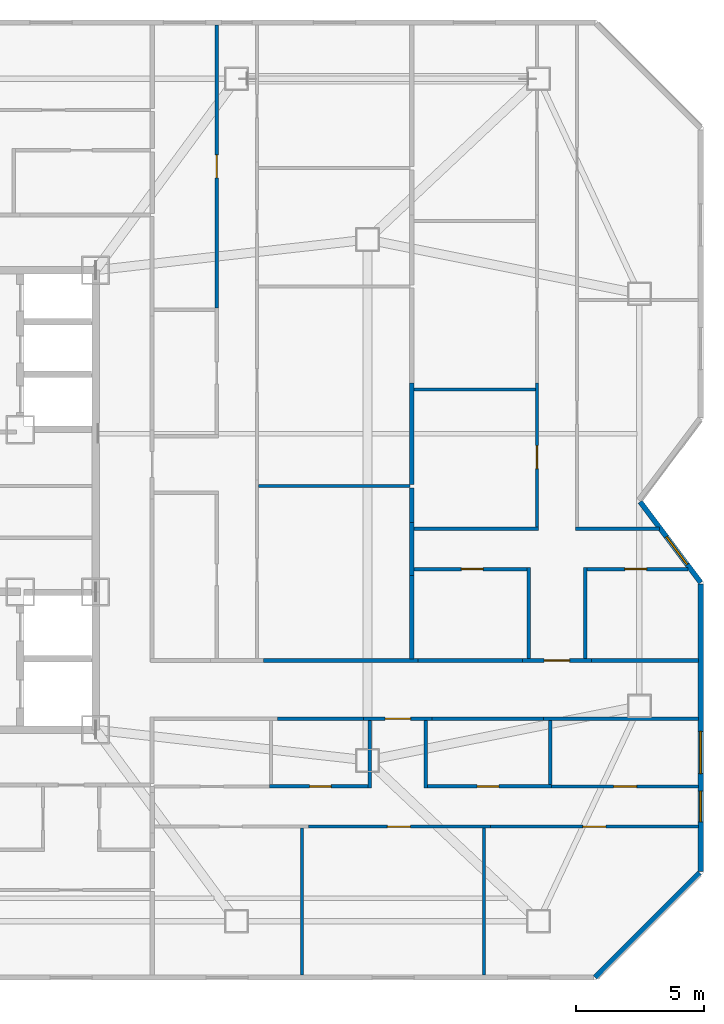
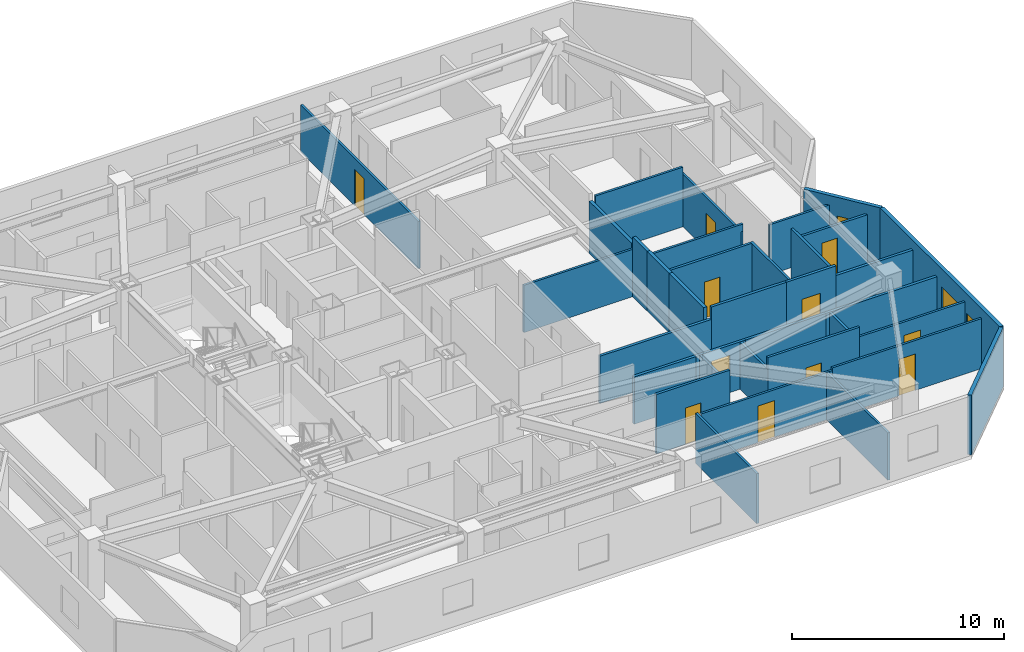
# One storey, part 9 of 13: 35 walls, 11 doors, 3 windows, 14 openings.
"""IFC4 building model written with IfcOpenShell, lengths in metres."""

from ifc_helpers import new_model, si_unit, direction, frame, frame_2d, origin, place, context, subcontext, project, spatial, rectangle, extrude, material, layer, layer_set, type_object, element, fill, save


model = new_model("IFC4")

# Units and contexts
model_context = context("Model", 3, precision=1e-05, world=origin(), true_north=direction((0.0, 1.0)))
body_context = subcontext(model_context, "Body", "Model", "MODEL_VIEW")
ifc_project = project(units=[si_unit("LENGTHUNIT", "METRE"), si_unit("AREAUNIT", "SQUARE_METRE"), si_unit("VOLUMEUNIT", "CUBIC_METRE"), si_unit("PLANEANGLEUNIT", "RADIAN"), si_unit("MASSUNIT", "GRAM", prefix="KILO")], contexts=[model_context])

# Site, building, storey
site_placement = place(None, origin())
site = spatial("IfcSite", under=ifc_project, at=site_placement, CompositionType="ELEMENT")
building_placement = place(site_placement, origin())
building = spatial("IfcBuilding", under=site, at=building_placement, Name="Khamvora Tower", CompositionType="ELEMENT")
storey_placement = place(building_placement, frame((0.0, 0.0, 196.050048828125)))
storey = spatial("IfcBuildingStorey", under=building, at=storey_placement, Name="L50", CompositionType="ELEMENT", Elevation=196.050048828125)

# Wall
ifc_material_1 = material(Name="Fire-Rated Drywall and Steel Stud", Category="steel")
ifc_layer_1 = layer(ifc_material_1, 0.14990234375)
ifc_layer_set_1 = layer_set([ifc_layer_1], Name="Fire-Rated Drywall and Steel Stud")
wall_type_1 = type_object("IfcWallType", Name="WAL-CORR-150", PredefinedType="STANDARD", material=ifc_layer_set_1)
wall_1_placement = place(storey_placement, frame((63.008056640625, 19.43505859375, 0.0), z_axis=(0.0, 0.0, 1.0), x_axis=(-1.0, 0.0, 0.0)))
element("IfcWall", 1, at=wall_1_placement, inside=storey, type_object=wall_type_1, Name="L50 interior partition wall 030", PredefinedType="STANDARD", context=body_context, shape_type="SweptSolid", body=[
    extrude(rectangle(XDim=6.05712890625, YDim=0.14990234375, at=frame_2d((3.028564453125, 0.0))), origin(), (0.0, 0.0, 1.0), 2.724853515625),
])

# Wall, opening, door
wall_2_placement = place(storey_placement, frame((52.583984375, 19.43505859375, 0.0), z_axis=(0.0, 0.0, 1.0), x_axis=(-1.0, 0.0, 0.0)))
wall_2 = element("IfcWall", 2, at=wall_2_placement, inside=storey, type_object=wall_type_1, Name="L50 interior partition wall 031", PredefinedType="STANDARD", context=body_context, shape_type="SweptSolid", body=[
    extrude(rectangle(XDim=2.697998046875, YDim=0.14990234375, at=frame_2d((1.34912109375, 0.0))), origin(), (0.0, 0.0, 1.0), 2.724853515625),
])
opening_1_placement = place(wall_2_placement, frame((0.84912109375, 0.0, 0.0)))
opening_1 = element("IfcOpeningElement", 3, at=opening_1_placement, cuts=wall_2, Name="Opening D-U1", PredefinedType="OPENING", context=body_context, shape_type="SweptSolid", body=[
    extrude(rectangle(XDim=1.0, YDim=2.14990234375, at=frame_2d((0.5, 1.074951171875))), frame((0.0, 0.0849609375, 0.0), z_axis=(0.0, -1.0, 0.0), x_axis=(1.0, 0.0, 0.0)), (0.0, 0.0, 1.0), 0.169921875),
])
ifc_material_2 = material(Name="Powder-Coated Steel and Hardwood Leaf", Category="steel")
door_type_1 = type_object("IfcDoorType", Name="DOR-UNIT-1000", OperationType="NOTDEFINED", PredefinedType="DOOR", material=ifc_material_2)
door_1_placement = place(opening_1_placement, origin())
door_1 = element("IfcDoor", 4, at=door_1_placement, inside=storey, type_object=door_type_1, Name="L50 interior door COR-50EAH", OperationType="SINGLE_SWING_RIGHT", OverallHeight=2.14990234375, OverallWidth=1.0, PredefinedType="DOOR", context=body_context, shape_type="SweptSolid", body=[
    extrude(rectangle(XDim=1.0, YDim=2.14990234375, at=frame_2d((0.5, 1.074951171875))), frame((0.0, 0.02490234375, 0.0), z_axis=(0.0, -1.0, 0.0), x_axis=(1.0, 0.0, 0.0)), (0.0, 0.0, 1.0), 0.050048828125),
])
fill(opening_1, door_1)

# Walls
wall_3_placement = place(storey_placement, frame((49.885986328125, 19.43505859375, 0.0), z_axis=(0.0, 0.0, 1.0), x_axis=(-1.0, 0.0, 0.0)))
element("IfcWall", 5, at=wall_3_placement, inside=storey, type_object=wall_type_1, Name="L50 interior partition wall 032", PredefinedType="STANDARD", context=body_context, shape_type="SweptSolid", body=[
    extrude(rectangle(XDim=3.366943359375, YDim=0.14990234375, at=frame_2d((1.68359375, 0.0))), origin(), (0.0, 0.0, 1.0), 2.724853515625),
])
wall_4_placement = place(storey_placement, frame((56.950927734375, 19.43505859375, 0.0), z_axis=(0.0, 0.0, 1.0), x_axis=(-1.0, 0.0, 0.0)))
element("IfcWall", 6, at=wall_4_placement, inside=storey, type_object=wall_type_1, Name="L50 interior partition wall 033", PredefinedType="STANDARD", context=body_context, shape_type="SweptSolid", body=[
    extrude(rectangle(XDim=4.366943359375, YDim=0.14990234375, at=frame_2d((2.18359375, 0.0))), origin(), (0.0, 0.0, 1.0), 2.724853515625),
])
wall_5_placement = place(storey_placement, frame((45.97412109375, 21.715087890625, 0.0), z_axis=(0.0, 0.0, 1.0), x_axis=(1.0, 0.0, 0.0)))
element("IfcWall", 7, at=wall_5_placement, inside=storey, type_object=wall_type_1, Name="L50 interior partition wall 040", PredefinedType="STANDARD", context=body_context, shape_type="SweptSolid", body=[
    extrude(rectangle(XDim=6.059814453125, YDim=0.14990234375, at=frame_2d((3.02978515625, 0.0))), origin(), (0.0, 0.0, 1.0), 2.724853515625),
])

# Wall, opening, door
wall_6_placement = place(storey_placement, frame((56.12109375, 21.715087890625, 0.0), z_axis=(0.0, 0.0, 1.0), x_axis=(1.0, 0.0, 0.0)))
wall_6 = element("IfcWall", 8, at=wall_6_placement, inside=storey, type_object=wall_type_1, Name="L50 interior partition wall 041", PredefinedType="STANDARD", context=body_context, shape_type="SweptSolid", body=[
    extrude(rectangle(XDim=2.697998046875, YDim=0.14990234375, at=frame_2d((1.34912109375, 0.0))), origin(), (0.0, 0.0, 1.0), 3.429931640625),
])
opening_2_placement = place(wall_6_placement, frame((0.84912109375, 0.0, 0.0)))
opening_2 = element("IfcOpeningElement", 9, at=opening_2_placement, cuts=wall_6, Name="Opening D-U1", PredefinedType="OPENING", context=body_context, shape_type="SweptSolid", body=[
    extrude(rectangle(XDim=1.0, YDim=2.14990234375, at=frame_2d((0.5, 1.074951171875))), frame((0.0, 0.0849609375, 0.0), z_axis=(0.0, -1.0, 0.0), x_axis=(1.0, 0.0, 0.0)), (0.0, 0.0, 1.0), 0.169921875),
])
door_2_placement = place(opening_2_placement, origin())
door_2 = element("IfcDoor", 10, at=door_2_placement, inside=storey, type_object=door_type_1, Name="L50 interior door COR-50ECH", OperationType="SINGLE_SWING_RIGHT", OverallHeight=2.14990234375, OverallWidth=1.0, PredefinedType="DOOR", context=body_context, shape_type="SweptSolid", body=[
    extrude(rectangle(XDim=1.0, YDim=2.14990234375, at=frame_2d((0.5, 1.074951171875))), frame((0.0, 0.02490234375, 0.0), z_axis=(0.0, -1.0, 0.0), x_axis=(1.0, 0.0, 0.0)), (0.0, 0.0, 1.0), 0.050048828125),
])
fill(opening_2, door_2)

# Walls
wall_7_placement = place(storey_placement, frame((58.819091796875, 21.715087890625, 0.0), z_axis=(0.0, 0.0, 1.0), x_axis=(1.0, 0.0, 0.0)))
element("IfcWall", 11, at=wall_7_placement, inside=storey, type_object=wall_type_1, Name="L50 interior partition wall 042", PredefinedType="STANDARD", context=body_context, shape_type="SweptSolid", body=[
    extrude(rectangle(XDim=4.18896484375, YDim=0.14990234375, at=frame_2d((2.094482421875, 0.0))), origin(), (0.0, 0.0, 1.0), 2.8759765625),
])
wall_8_placement = place(storey_placement, frame((52.033935546875, 21.715087890625, 0.0), z_axis=(0.0, 0.0, 1.0), x_axis=(1.0, 0.0, 0.0)))
element("IfcWall", 12, at=wall_8_placement, inside=storey, type_object=wall_type_1, Name="L50 interior partition wall 043", PredefinedType="STANDARD", context=body_context, shape_type="SweptSolid", body=[
    extrude(rectangle(XDim=4.087158203125, YDim=0.14990234375, at=frame_2d((2.04345703125, 0.0))), origin(), (0.0, 0.0, 1.0), 3.429931640625),
])
ifc_material_3 = material(Name="Acoustic Double-Stud Fire Wall", Category="gypsum")
ifc_layer_2 = layer(ifc_material_3, 0.179931640625)
ifc_layer_set_2 = layer_set([ifc_layer_2], Name="Acoustic Double-Stud Fire Wall")
wall_type_2 = type_object("IfcWallType", Name="WAL-CORR-180", PredefinedType="STANDARD", material=ifc_layer_set_2)
wall_9_placement = place(storey_placement, frame((51.784912109375, 27.1240234375, 0.0), z_axis=(0.0, 0.0, 1.0), x_axis=(0.0, -1.0, 0.0)))
element("IfcWall", 13, at=wall_9_placement, inside=storey, type_object=wall_type_2, Name="L50 interior partition wall 126", PredefinedType="STANDARD", context=body_context, shape_type="SweptSolid", body=[
    extrude(rectangle(XDim=2.078125, YDim=0.179931640625, at=frame_2d((1.0390625, 0.0))), origin(), (0.0, 0.0, 1.0), 3.429931640625),
])
wall_10_placement = place(storey_placement, frame((51.784912109375, 25.0458984375, 0.0), z_axis=(0.0, 0.0, 1.0), x_axis=(0.0, -1.0, 0.0)))
element("IfcWall", 14, at=wall_10_placement, inside=storey, type_object=wall_type_2, Name="L50 interior partition wall 127", PredefinedType="STANDARD", context=body_context, shape_type="SweptSolid", body=[
    extrude(rectangle(XDim=3.265869140625, YDim=0.179931640625, at=frame_2d((1.6328125, 0.0))), origin(), (0.0, 0.0, 1.0), 3.429931640625),
])
wall_11_placement = place(storey_placement, frame((51.784912109375, 28.47509765625, 0.0), z_axis=(0.0, 0.0, 1.0), x_axis=(0.0, -1.0, 0.0)))
element("IfcWall", 15, at=wall_11_placement, inside=storey, type_object=wall_type_2, Name="L50 interior partition wall 128", PredefinedType="STANDARD", context=body_context, shape_type="SweptSolid", body=[
    extrude(rectangle(XDim=1.35107421875, YDim=0.179931640625, at=frame_2d((0.675537109375, 0.0))), origin(), (0.0, 0.0, 1.0), 3.429931640625),
])
wall_12_placement = place(storey_placement, frame((51.784912109375, 32.5849609375, 0.0), z_axis=(0.0, 0.0, 1.0), x_axis=(0.0, -1.0, 0.0)))
element("IfcWall", 16, at=wall_12_placement, inside=storey, type_object=wall_type_2, Name="L50 interior partition wall 130", PredefinedType="STANDARD", context=body_context, shape_type="SweptSolid", body=[
    extrude(rectangle(XDim=3.97998046875, YDim=0.179931640625, at=frame_2d((1.989990234375, 0.0))), origin(), (0.0, 0.0, 1.0), 3.012939453125),
])

# Wall, opening, window
ifc_material_4 = material(Name="Precast concrete C40/50", Category="concrete")
ifc_layer_3 = layer(ifc_material_4, 0.199951171875)
ifc_layer_set_3 = layer_set([ifc_layer_3], Name="Precast concrete C40/50")
wall_type_3 = type_object("IfcWallType", Name="WAL-EXT-200", PredefinedType="STANDARD", material=ifc_layer_set_3)
wall_13_placement = place(storey_placement, frame((60.72705078125, 27.930908203125, 0.0), z_axis=(0.0, 0.0, 1.0), x_axis=(0.600029630681, -0.799977776132, 0.0)))
wall_13 = element("IfcWall", 17, at=wall_13_placement, inside=storey, type_object=wall_type_3, Name="L50 exterior facade wall 11.1", PredefinedType="STANDARD", context=body_context, shape_type="SweptSolid", body=[
    extrude(rectangle(XDim=3.954833984375, YDim=0.199951171875, at=frame_2d((1.9775390625, 0.0))), origin(), (0.0, 0.0, 1.0), 3.429931640625),
])
opening_3_placement = place(wall_13_placement, frame((1.721923828125, 0.0, 0.85009765625)))
opening_3 = element("IfcOpeningElement", 18, at=opening_3_placement, cuts=wall_13, Name="Opening WN-07", PredefinedType="OPENING", context=body_context, shape_type="SweptSolid", body=[
    extrude(rectangle(XDim=1.35009765625, YDim=1.5, at=frame_2d((0.675048828125, 0.75))), frame((0.0, 0.10986328125, 0.0), z_axis=(0.0, -1.0, 0.0), x_axis=(1.0, 0.0, 0.0)), (0.0, 0.0, 1.0), 0.219970703125),
])
ifc_material_5 = material(Name="Low-E Laminated Double Glazing", Category="glass")
window_type_1 = type_object("IfcWindowType", Name="WIN-VIS-1350x1500", PartitioningType="SINGLE_PANEL", PredefinedType="WINDOW", material=ifc_material_5)
window_1_placement = place(opening_3_placement, origin())
window_1 = element("IfcWindow", 19, at=window_1_placement, inside=storey, type_object=window_type_1, Name="L50 vision window 11.1.01", OverallHeight=1.5, OverallWidth=1.35009765625, PartitioningType="SINGLE_PANEL", PredefinedType="WINDOW", context=body_context, shape_type="SweptSolid", body=[
    extrude(rectangle(XDim=1.35009765625, YDim=1.5, at=frame_2d((0.675048828125, 0.75))), frame((0.0, 0.030029296875, 0.0), z_axis=(0.0, -1.0, 0.0), x_axis=(1.0, 0.0, 0.0)), (0.0, 0.0, 1.0), 0.06005859375),
])
fill(opening_3, window_1)

# Wall, openings, windows
wall_14_placement = place(storey_placement, frame((63.10009765625, 24.717041015625, 0.0), z_axis=(0.0, 0.0, 1.0), x_axis=(0.0, -1.0, 0.0)))
wall_14 = element("IfcWall", 20, at=wall_14_placement, inside=storey, type_object=wall_type_3, Name="L50 exterior facade wall 12.1", PredefinedType="STANDARD", context=body_context, shape_type="SweptSolid", body=[
    extrude(rectangle(XDim=11.276123046875, YDim=0.199951171875, at=frame_2d((5.63818359375, 0.0))), origin(), (0.0, 0.0, 1.0), 3.429931640625),
])
opening_4_placement = place(wall_14_placement, frame((5.781982421875, 0.0, 0.85009765625)))
opening_4 = element("IfcOpeningElement", 21, at=opening_4_placement, cuts=wall_14, Name="Opening WN-06", PredefinedType="OPENING", context=body_context, shape_type="SweptSolid", body=[
    extrude(rectangle(XDim=1.64990234375, YDim=1.550048828125, at=frame_2d((0.824951171875, 0.77490234375))), frame((0.0, 0.10986328125, 0.0), z_axis=(0.0, -1.0, 0.0), x_axis=(1.0, 0.0, 0.0)), (0.0, 0.0, 1.0), 0.219970703125),
])
opening_5_placement = place(wall_14_placement, frame((8.123046875, 0.0, 0.800048828125)))
opening_5 = element("IfcOpeningElement", 22, at=opening_5_placement, cuts=wall_14, Name="Opening WN-03", PredefinedType="OPENING", context=body_context, shape_type="SweptSolid", body=[
    extrude(rectangle(XDim=1.199951171875, YDim=1.5, at=frame_2d((0.60009765625, 0.75))), frame((0.0, 0.10986328125, 0.0), z_axis=(0.0, -1.0, 0.0), x_axis=(1.0, 0.0, 0.0)), (0.0, 0.0, 1.0), 0.219970703125),
])
window_type_2 = type_object("IfcWindowType", Name="WIN-VIS-1200x1500", PartitioningType="SINGLE_PANEL", PredefinedType="WINDOW", material=ifc_material_5)
window_2_placement = place(opening_5_placement, origin())
window_2 = element("IfcWindow", 23, at=window_2_placement, inside=storey, type_object=window_type_2, Name="L50 vision window 12.1.02", OverallHeight=1.5, OverallWidth=1.199951171875, PartitioningType="SINGLE_PANEL", PredefinedType="WINDOW", context=body_context, shape_type="SweptSolid", body=[
    extrude(rectangle(XDim=1.199951171875, YDim=1.5, at=frame_2d((0.60009765625, 0.75))), frame((0.0, 0.030029296875, 0.0), z_axis=(0.0, -1.0, 0.0), x_axis=(1.0, 0.0, 0.0)), (0.0, 0.0, 1.0), 0.06005859375),
])
fill(opening_5, window_2)
window_type_3 = type_object("IfcWindowType", Name="WIN-VIS-1650x1550", PartitioningType="SINGLE_PANEL", PredefinedType="WINDOW", material=ifc_material_5)
window_3_placement = place(opening_4_placement, origin())
window_3 = element("IfcWindow", 24, at=window_3_placement, inside=storey, type_object=window_type_3, Name="L50 vision window 12.1.01", OverallHeight=1.550048828125, OverallWidth=1.64990234375, PartitioningType="SINGLE_PANEL", PredefinedType="WINDOW", context=body_context, shape_type="SweptSolid", body=[
    extrude(rectangle(XDim=1.64990234375, YDim=1.550048828125, at=frame_2d((0.824951171875, 0.77490234375))), frame((0.0, 0.030029296875, 0.0), z_axis=(0.0, -1.0, 0.0), x_axis=(1.0, 0.0, 0.0)), (0.0, 0.0, 1.0), 0.06005859375),
])
fill(opening_4, window_3)

# Wall
wall_15_placement = place(storey_placement, frame((63.056884765625, 13.39794921875, 0.0), z_axis=(0.0, 0.0, 1.0), x_axis=(-0.707106781187, -0.707106781187, 0.0)))
element("IfcWall", 25, at=wall_15_placement, inside=storey, type_object=wall_type_3, Name="L50 exterior facade wall 13.1", PredefinedType="STANDARD", context=body_context, shape_type="SweptSolid", body=[
    extrude(rectangle(XDim=5.79541015625, YDim=0.199951171875, at=frame_2d((2.897705078125, 0.0))), origin(), (0.0, 0.0, 1.0), 3.429931640625),
])

# Wall, opening, door
ifc_material_6 = material(Name="Gypsum Plasterboard Partition", Category="gypsum")
ifc_layer_4 = layer(ifc_material_6, 0.1201171875)
ifc_layer_set_4 = layer_set([ifc_layer_4], Name="Gypsum Plasterboard Partition")
wall_type_4 = type_object("IfcWallType", Name="WAL-PART-120", PredefinedType="PARTITIONING", material=ifc_layer_set_4)
wall_16_placement = place(storey_placement, frame((63.008056640625, 16.783935546875, 0.0), z_axis=(0.0, 0.0, 1.0), x_axis=(-1.0, 0.0, 0.0)))
wall_16 = element("IfcWall", 26, at=wall_16_placement, inside=storey, type_object=wall_type_4, Name="L50 interior partition wall 104", PredefinedType="PARTITIONING", context=body_context, shape_type="SweptSolid", body=[
    extrude(rectangle(XDim=5.7431640625, YDim=0.1201171875, at=frame_2d((2.87158203125, 0.0))), origin(), (0.0, 0.0, 1.0), 2.8759765625),
])
opening_6_placement = place(wall_16_placement, frame((2.4208984375, 0.0, 0.0)))
opening_6 = element("IfcOpeningElement", 27, at=opening_6_placement, cuts=wall_16, Name="Opening D-RM1", PredefinedType="OPENING", context=body_context, shape_type="SweptSolid", body=[
    extrude(rectangle(XDim=0.89990234375, YDim=2.10009765625, at=frame_2d((0.449951171875, 1.050048828125))), frame((0.0, 0.070068359375, 0.0), z_axis=(0.0, -1.0, 0.0), x_axis=(1.0, 0.0, 0.0)), (0.0, 0.0, 1.0), 0.14013671875),
])
door_type_2 = type_object("IfcDoorType", Name="DOR-ROOM-900", OperationType="NOTDEFINED", PredefinedType="DOOR", material=ifc_material_2)
door_3_placement = place(opening_6_placement, origin())
door_3 = element("IfcDoor", 28, at=door_3_placement, inside=storey, type_object=door_type_2, Name="L50 interior door 50EAW2-50EAH", OperationType="SINGLE_SWING_LEFT", OverallHeight=2.10009765625, OverallWidth=0.89990234375, PredefinedType="DOOR", context=body_context, shape_type="SweptSolid", body=[
    extrude(rectangle(XDim=0.89990234375, YDim=2.10009765625, at=frame_2d((0.449951171875, 1.050048828125))), frame((0.0, 0.02490234375, 0.0), z_axis=(0.0, -1.0, 0.0), x_axis=(1.0, 0.0, 0.0)), (0.0, 0.0, 1.0), 0.050048828125),
])
fill(opening_6, door_3)

wall_17_placement = place(storey_placement, frame((54.867919921875, 15.2041015625, 0.0), z_axis=(0.0, 0.0, 1.0), x_axis=(-1.0, 0.0, 0.0)))
wall_17 = element("IfcWall", 29, at=wall_17_placement, inside=storey, type_object=wall_type_4, Name="L50 interior partition wall 111", PredefinedType="PARTITIONING", context=body_context, shape_type="SweptSolid", body=[
    extrude(rectangle(XDim=7.136962890625, YDim=0.1201171875, at=frame_2d((3.568359375, 0.0))), origin(), (0.0, 0.0, 1.0), 2.724853515625),
])
opening_7_placement = place(wall_17_placement, frame((3.138916015625, 0.0, 0.0)))
opening_7 = element("IfcOpeningElement", 30, at=opening_7_placement, cuts=wall_17, Name="Opening D-RM1", PredefinedType="OPENING", context=body_context, shape_type="SweptSolid", body=[
    extrude(rectangle(XDim=0.89990234375, YDim=2.10009765625, at=frame_2d((0.449951171875, 1.050048828125))), frame((0.0, 0.070068359375, 0.0), z_axis=(0.0, -1.0, 0.0), x_axis=(1.0, 0.0, 0.0)), (0.0, 0.0, 1.0), 0.14013671875),
])
door_4_placement = place(opening_7_placement, origin())
door_4 = element("IfcDoor", 31, at=door_4_placement, inside=storey, type_object=door_type_2, Name="L50 interior door 50EAH-50EAR2", OperationType="SINGLE_SWING_LEFT", OverallHeight=2.10009765625, OverallWidth=0.89990234375, PredefinedType="DOOR", context=body_context, shape_type="SweptSolid", body=[
    extrude(rectangle(XDim=0.89990234375, YDim=2.10009765625, at=frame_2d((0.449951171875, 1.050048828125))), frame((0.0, 0.02490234375, 0.0), z_axis=(0.0, -1.0, 0.0), x_axis=(1.0, 0.0, 0.0)), (0.0, 0.0, 1.0), 0.050048828125),
])
fill(opening_7, door_4)

wall_18_placement = place(storey_placement, frame((63.008056640625, 15.2041015625, 0.0), z_axis=(0.0, 0.0, 1.0), x_axis=(-1.0, 0.0, 0.0)))
wall_18 = element("IfcWall", 32, at=wall_18_placement, inside=storey, type_object=wall_type_4, Name="L50 interior partition wall 112", PredefinedType="PARTITIONING", context=body_context, shape_type="SweptSolid", body=[
    extrude(rectangle(XDim=8.14013671875, YDim=0.1201171875, at=frame_2d((4.070068359375, 0.0))), origin(), (0.0, 0.0, 1.0), 2.8759765625),
])
opening_8_placement = place(wall_18_placement, frame((3.6201171875, 0.0, 0.0)))
opening_8 = element("IfcOpeningElement", 33, at=opening_8_placement, cuts=wall_18, Name="Opening D-RM1", PredefinedType="OPENING", context=body_context, shape_type="SweptSolid", body=[
    extrude(rectangle(XDim=0.89990234375, YDim=2.10009765625, at=frame_2d((0.449951171875, 1.050048828125))), frame((0.0, 0.070068359375, 0.0), z_axis=(0.0, -1.0, 0.0), x_axis=(1.0, 0.0, 0.0)), (0.0, 0.0, 1.0), 0.14013671875),
])
door_5_placement = place(opening_8_placement, origin())
door_5 = element("IfcDoor", 34, at=door_5_placement, inside=storey, type_object=door_type_2, Name="L50 interior door 50EAH-50EAR3", OperationType="SINGLE_SWING_RIGHT", OverallHeight=2.10009765625, OverallWidth=0.89990234375, PredefinedType="DOOR", context=body_context, shape_type="SweptSolid", body=[
    extrude(rectangle(XDim=0.89990234375, YDim=2.10009765625, at=frame_2d((0.449951171875, 1.050048828125))), frame((0.0, 0.02490234375, 0.0), z_axis=(0.0, -1.0, 0.0), x_axis=(1.0, 0.0, 0.0)), (0.0, 0.0, 1.0), 0.050048828125),
])
fill(opening_8, door_5)

# Walls
wall_19_placement = place(storey_placement, frame((47.48193359375, 15.14990234375, 0.0), z_axis=(0.0, 0.0, 1.0), x_axis=(0.0, -1.0, 0.0)))
element("IfcWall", 35, at=wall_19_placement, inside=storey, type_object=wall_type_4, Name="L50 interior partition wall 113", PredefinedType="PARTITIONING", context=body_context, shape_type="SweptSolid", body=[
    extrude(rectangle(XDim=5.7578125, YDim=0.1201171875, at=frame_2d((2.87890625, 0.0))), origin(), (0.0, 0.0, 1.0), 2.8759765625),
])
wall_20_placement = place(storey_placement, frame((54.618896484375, 15.14990234375, 0.0), z_axis=(0.0, 0.0, 1.0), x_axis=(0.0, -1.0, 0.0)))
element("IfcWall", 36, at=wall_20_placement, inside=storey, type_object=wall_type_4, Name="L50 interior partition wall 114", PredefinedType="PARTITIONING", context=body_context, shape_type="SweptSolid", body=[
    extrude(rectangle(XDim=5.7578125, YDim=0.1201171875, at=frame_2d((2.87890625, 0.0))), origin(), (0.0, 0.0, 1.0), 2.724853515625),
])

# Wall, opening, door
wall_21_placement = place(storey_placement, frame((44.14501953125, 46.60791015625, 0.0), z_axis=(0.0, 0.0, 1.0), x_axis=(0.0, -1.0, 0.0)))
wall_21 = element("IfcWall", 37, at=wall_21_placement, inside=storey, type_object=wall_type_4, Name="L50 interior partition wall 115", PredefinedType="PARTITIONING", context=body_context, shape_type="SweptSolid", body=[
    extrude(rectangle(XDim=11.0869140625, YDim=0.1201171875, at=frame_2d((5.54345703125, 0.0))), origin(), (0.0, 0.0, 1.0), 2.724853515625),
])
opening_9_placement = place(wall_21_placement, frame((5.093017578125, 0.0, 0.0)))
opening_9 = element("IfcOpeningElement", 38, at=opening_9_placement, cuts=wall_21, Name="Opening D-RM1", PredefinedType="OPENING", context=body_context, shape_type="SweptSolid", body=[
    extrude(rectangle(XDim=0.89990234375, YDim=2.10009765625, at=frame_2d((0.449951171875, 1.050048828125))), frame((0.0, 0.070068359375, 0.0), z_axis=(0.0, -1.0, 0.0), x_axis=(1.0, 0.0, 0.0)), (0.0, 0.0, 1.0), 0.14013671875),
])
door_6_placement = place(opening_9_placement, origin())
door_6 = element("IfcDoor", 39, at=door_6_placement, inside=storey, type_object=door_type_2, Name="L50 interior door 50EBW2-50EBH", OperationType="SINGLE_SWING_LEFT", OverallHeight=2.10009765625, OverallWidth=0.89990234375, PredefinedType="DOOR", context=body_context, shape_type="SweptSolid", body=[
    extrude(rectangle(XDim=0.89990234375, YDim=2.10009765625, at=frame_2d((0.449951171875, 1.050048828125))), frame((0.0, 0.02490234375, 0.0), z_axis=(0.0, -1.0, 0.0), x_axis=(1.0, 0.0, 0.0)), (0.0, 0.0, 1.0), 0.050048828125),
])
fill(opening_9, door_6)

# Walls
wall_22_placement = place(storey_placement, frame((45.779052734375, 28.5400390625, 0.0), z_axis=(0.0, 0.0, 1.0), x_axis=(1.0, 0.0, 0.0)))
element("IfcWall", 40, at=wall_22_placement, inside=storey, type_object=wall_type_4, Name="L50 interior partition wall 125", PredefinedType="PARTITIONING", context=body_context, shape_type="SweptSolid", body=[
    extrude(rectangle(XDim=5.94091796875, YDim=0.1201171875, at=frame_2d((2.970458984375, 0.0))), origin(), (0.0, 0.0, 1.0), 2.724853515625),
])
wall_23_placement = place(storey_placement, frame((51.866943359375, 26.875, 0.0), z_axis=(0.0, 0.0, 1.0), x_axis=(1.0, 0.0, 0.0)))
element("IfcWall", 41, at=wall_23_placement, inside=storey, type_object=wall_type_4, Name="L50 interior partition wall 140", PredefinedType="PARTITIONING", context=body_context, shape_type="SweptSolid", body=[
    extrude(rectangle(XDim=4.883056640625, YDim=0.1201171875, at=frame_2d((2.44140625, 0.0))), origin(), (0.0, 0.0, 1.0), 3.429931640625),
])

# Wall, opening, door
wall_24_placement = place(storey_placement, frame((56.68505859375, 26.81005859375, 0.0), z_axis=(0.0, 0.0, 1.0), x_axis=(0.0, 1.0, 0.0)))
wall_24 = element("IfcWall", 42, at=wall_24_placement, inside=storey, type_object=wall_type_4, Name="L50 interior partition wall 141", PredefinedType="PARTITIONING", context=body_context, shape_type="SweptSolid", body=[
    extrude(rectangle(XDim=5.77490234375, YDim=0.1201171875, at=frame_2d((2.887451171875, 0.0))), origin(), (0.0, 0.0, 1.0), 3.012939453125),
])
opening_10_placement = place(wall_24_placement, frame((2.416015625, 0.0, 0.0)))
opening_10 = element("IfcOpeningElement", 43, at=opening_10_placement, cuts=wall_24, Name="Opening D-RM1", PredefinedType="OPENING", context=body_context, shape_type="SweptSolid", body=[
    extrude(rectangle(XDim=0.89990234375, YDim=2.10009765625, at=frame_2d((0.449951171875, 1.050048828125))), frame((0.0, 0.070068359375, 0.0), z_axis=(0.0, -1.0, 0.0), x_axis=(1.0, 0.0, 0.0)), (0.0, 0.0, 1.0), 0.14013671875),
])
door_7_placement = place(opening_10_placement, origin())
door_7 = element("IfcDoor", 44, at=door_7_placement, inside=storey, type_object=door_type_2, Name="L50 interior door 50ECH-50ECL", OperationType="SINGLE_SWING_RIGHT", OverallHeight=2.10009765625, OverallWidth=0.89990234375, PredefinedType="DOOR", context=body_context, shape_type="SweptSolid", body=[
    extrude(rectangle(XDim=0.89990234375, YDim=2.10009765625, at=frame_2d((0.449951171875, 1.050048828125))), frame((0.0, 0.02490234375, 0.0), z_axis=(0.0, -1.0, 0.0), x_axis=(1.0, 0.0, 0.0)), (0.0, 0.0, 1.0), 0.050048828125),
])
fill(opening_10, door_7)

# Walls
wall_25_placement = place(storey_placement, frame((58.18994140625, 26.875, 0.0), z_axis=(0.0, 0.0, 1.0), x_axis=(1.0, 0.0, 0.0)))
element("IfcWall", 45, at=wall_25_placement, inside=storey, type_object=wall_type_4, Name="L50 interior partition wall 145", PredefinedType="PARTITIONING", context=body_context, shape_type="SweptSolid", body=[
    extrude(rectangle(XDim=3.302001953125, YDim=0.1201171875, at=frame_2d((1.65087890625, 0.0))), origin(), (0.0, 0.0, 1.0), 2.8759765625),
])
wall_26_placement = place(storey_placement, frame((51.866943359375, 32.3359375, 0.0), z_axis=(0.0, 0.0, 1.0), x_axis=(1.0, 0.0, 0.0)))
element("IfcWall", 46, at=wall_26_placement, inside=storey, type_object=wall_type_4, Name="L50 interior partition wall 147", PredefinedType="PARTITIONING", context=body_context, shape_type="SweptSolid", body=[
    extrude(rectangle(XDim=4.76416015625, YDim=0.1201171875, at=frame_2d((2.382080078125, 0.0))), origin(), (0.0, 0.0, 1.0), 3.429931640625),
])
ifc_material_7 = material(Name="Moisture-Resistant Plasterboard Partition", Category="gypsum")
ifc_layer_5 = layer(ifc_material_7, 0.135009765625)
ifc_layer_set_5 = layer_set([ifc_layer_5], Name="Moisture-Resistant Plasterboard Partition")
wall_type_5 = type_object("IfcWallType", Name="WAL-WET-135", PredefinedType="PARTITIONING", material=ifc_layer_set_5)
wall_27_placement = place(storey_placement, frame((57.199951171875, 16.84912109375, 0.0), z_axis=(0.0, 0.0, 1.0), x_axis=(0.0, 1.0, 0.0)))
element("IfcWall", 47, at=wall_27_placement, inside=storey, type_object=wall_type_5, Name="L50 interior partition wall 105", PredefinedType="PARTITIONING", context=body_context, shape_type="SweptSolid", body=[
    extrude(rectangle(XDim=2.518798828125, YDim=0.135009765625, at=frame_2d((1.25927734375, 0.0))), origin(), (0.0, 0.0, 1.0), 2.724853515625),
])

# Wall, opening, door
wall_28_placement = place(storey_placement, frame((46.205078125, 16.783935546875, 0.0), z_axis=(0.0, 0.0, 1.0), x_axis=(1.0, 0.0, 0.0)))
wall_28 = element("IfcWall", 48, at=wall_28_placement, inside=storey, type_object=wall_type_5, Name="L50 interior partition wall 106", PredefinedType="PARTITIONING", context=body_context, shape_type="SweptSolid", body=[
    extrude(rectangle(XDim=3.994873046875, YDim=0.135009765625, at=frame_2d((1.99755859375, 0.0))), origin(), (0.0, 0.0, 1.0), 3.429931640625),
])
opening_11_placement = place(wall_28_placement, frame((1.572998046875, 0.0, 0.0)))
opening_11 = element("IfcOpeningElement", 49, at=opening_11_placement, cuts=wall_28, Name="Opening D-WC1", PredefinedType="OPENING", context=body_context, shape_type="SweptSolid", body=[
    extrude(rectangle(XDim=0.85009765625, YDim=2.10009765625, at=frame_2d((0.425048828125, 1.050048828125))), frame((0.0, 0.077392578125, 0.0), z_axis=(0.0, -1.0, 0.0), x_axis=(1.0, 0.0, 0.0)), (0.0, 0.0, 1.0), 0.155029296875),
])
door_type_3 = type_object("IfcDoorType", Name="DOR-WET-850", OperationType="NOTDEFINED", PredefinedType="DOOR", material=ifc_material_2)
door_8_placement = place(opening_11_placement, origin())
door_8 = element("IfcDoor", 50, at=door_8_placement, inside=storey, type_object=door_type_3, Name="L50 interior door 50EAH-50EAB", OperationType="SINGLE_SWING_RIGHT", OverallHeight=2.10009765625, OverallWidth=0.85009765625, PredefinedType="DOOR", context=body_context, shape_type="SweptSolid", body=[
    extrude(rectangle(XDim=0.85009765625, YDim=2.10009765625, at=frame_2d((0.425048828125, 1.050048828125))), frame((0.0, 0.02490234375, 0.0), z_axis=(0.0, -1.0, 0.0), x_axis=(1.0, 0.0, 0.0)), (0.0, 0.0, 1.0), 0.050048828125),
])
fill(opening_11, door_8)

# Walls
for number, where, z_axis, x_axis, name in (
    (51, (50.135009765625, 16.718994140625, 0.0), (0.0, 0.0, 1.0), (0.0, 1.0, 0.0), "L50 interior partition wall 107"),
    (52, (52.3349609375, 19.367919921875, 0.0), (0.0, 0.0, 1.0), (0.0, -1.0, 0.0), "L50 interior partition wall 108"),
):
    element("IfcWall", number, at=place(storey_placement, frame(where, z_axis=z_axis, x_axis=x_axis)), inside=storey, type_object=wall_type_5, Name=name, PredefinedType="PARTITIONING", context=body_context, shape_type="SweptSolid", body=[
        extrude(rectangle(XDim=2.64892578125, YDim=0.135009765625, at=frame_2d((1.324462890625, 0.0))), origin(), (0.0, 0.0, 1.0), 2.724853515625),
    ])

# Wall, opening, door
wall_29_placement = place(storey_placement, frame((52.27001953125, 16.783935546875, 0.0), z_axis=(0.0, 0.0, 1.0), x_axis=(1.0, 0.0, 0.0)))
wall_29 = element("IfcWall", 53, at=wall_29_placement, inside=storey, type_object=wall_type_5, Name="L50 interior partition wall 109", PredefinedType="PARTITIONING", context=body_context, shape_type="SweptSolid", body=[
    extrude(rectangle(XDim=4.994873046875, YDim=0.135009765625, at=frame_2d((2.49755859375, 0.0))), origin(), (0.0, 0.0, 1.0), 3.429931640625),
])
opening_12_placement = place(wall_29_placement, frame((2.072998046875, 0.0, 0.0)))
opening_12 = element("IfcOpeningElement", 54, at=opening_12_placement, cuts=wall_29, Name="Opening D-RM2", PredefinedType="OPENING", context=body_context, shape_type="SweptSolid", body=[
    extrude(rectangle(XDim=0.85009765625, YDim=2.10009765625, at=frame_2d((0.425048828125, 1.050048828125))), frame((0.0, 0.077392578125, 0.0), z_axis=(0.0, -1.0, 0.0), x_axis=(1.0, 0.0, 0.0)), (0.0, 0.0, 1.0), 0.155029296875),
])
door_type_4 = type_object("IfcDoorType", Name="DOR-ROOM-850", OperationType="NOTDEFINED", PredefinedType="DOOR", material=ifc_material_2)
door_9_placement = place(opening_12_placement, origin())
door_9 = element("IfcDoor", 55, at=door_9_placement, inside=storey, type_object=door_type_4, Name="L50 interior door 50EAH-50EAK", OperationType="SINGLE_SWING_LEFT", OverallHeight=2.10009765625, OverallWidth=0.85009765625, PredefinedType="DOOR", context=body_context, shape_type="SweptSolid", body=[
    extrude(rectangle(XDim=0.85009765625, YDim=2.10009765625, at=frame_2d((0.425048828125, 1.050048828125))), frame((0.0, 0.02490234375, 0.0), z_axis=(0.0, -1.0, 0.0), x_axis=(1.0, 0.0, 0.0)), (0.0, 0.0, 1.0), 0.050048828125),
])
fill(opening_12, door_9)

wall_30_placement = place(storey_placement, frame((62.60009765625, 25.294921875, 0.0), z_axis=(0.0, 0.0, 1.0), x_axis=(-1.0, 0.0, 0.0)))
wall_30 = element("IfcWall", 56, at=wall_30_placement, inside=storey, type_object=wall_type_5, Name="L50 interior partition wall 136", PredefinedType="PARTITIONING", context=body_context, shape_type="SweptSolid", body=[
    extrude(rectangle(XDim=4.09521484375, YDim=0.135009765625, at=frame_2d((2.047607421875, 0.0))), origin(), (0.0, 0.0, 1.0), 2.8759765625),
])
opening_13_placement = place(wall_30_placement, frame((1.6220703125, 0.0, 0.0)))
opening_13 = element("IfcOpeningElement", 57, at=opening_13_placement, cuts=wall_30, Name="Opening D-WC1", PredefinedType="OPENING", context=body_context, shape_type="SweptSolid", body=[
    extrude(rectangle(XDim=0.85009765625, YDim=2.10009765625, at=frame_2d((0.425048828125, 1.050048828125))), frame((0.0, 0.077392578125, 0.0), z_axis=(0.0, -1.0, 0.0), x_axis=(1.0, 0.0, 0.0)), (0.0, 0.0, 1.0), 0.155029296875),
])
door_10_placement = place(opening_13_placement, origin())
door_10 = element("IfcDoor", 58, at=door_10_placement, inside=storey, type_object=door_type_3, Name="L50 interior door 50ECH-50ECB", OperationType="SINGLE_SWING_RIGHT", OverallHeight=2.10009765625, OverallWidth=0.85009765625, PredefinedType="DOOR", context=body_context, shape_type="SweptSolid", body=[
    extrude(rectangle(XDim=0.85009765625, YDim=2.10009765625, at=frame_2d((0.425048828125, 1.050048828125))), frame((0.0, 0.02490234375, 0.0), z_axis=(0.0, -1.0, 0.0), x_axis=(1.0, 0.0, 0.0)), (0.0, 0.0, 1.0), 0.050048828125),
])
fill(opening_13, door_10)

# Walls
for number, where, z_axis, x_axis, name in (
    (59, (58.570068359375, 25.360107421875, 0.0), (0.0, 0.0, 1.0), (0.0, -1.0, 0.0), "L50 interior partition wall 137"),
    (60, (56.3701171875, 21.780029296875, 0.0), (0.0, 0.0, 1.0), (0.0, 1.0, 0.0), "L50 interior partition wall 138"),
):
    element("IfcWall", number, at=place(storey_placement, frame(where, z_axis=z_axis, x_axis=x_axis)), inside=storey, type_object=wall_type_5, Name=name, PredefinedType="PARTITIONING", context=body_context, shape_type="SweptSolid", body=[
        extrude(rectangle(XDim=3.580078125, YDim=0.135009765625, at=frame_2d((1.7900390625, 0.0))), origin(), (0.0, 0.0, 1.0), 3.429931640625),
    ])

# Wall, opening, door
wall_31_placement = place(storey_placement, frame((56.43505859375, 25.294921875, 0.0), z_axis=(0.0, 0.0, 1.0), x_axis=(-1.0, 0.0, 0.0)))
wall_31 = element("IfcWall", 61, at=wall_31_placement, inside=storey, type_object=wall_type_5, Name="L50 interior partition wall 139", PredefinedType="PARTITIONING", context=body_context, shape_type="SweptSolid", body=[
    extrude(rectangle(XDim=4.568115234375, YDim=0.135009765625, at=frame_2d((2.2841796875, 0.0))), origin(), (0.0, 0.0, 1.0), 3.429931640625),
])
opening_14_placement = place(wall_31_placement, frame((1.85888671875, 0.0, 0.0)))
opening_14 = element("IfcOpeningElement", 62, at=opening_14_placement, cuts=wall_31, Name="Opening D-RM2", PredefinedType="OPENING", context=body_context, shape_type="SweptSolid", body=[
    extrude(rectangle(XDim=0.85009765625, YDim=2.10009765625, at=frame_2d((0.425048828125, 1.050048828125))), frame((0.0, 0.077392578125, 0.0), z_axis=(0.0, -1.0, 0.0), x_axis=(1.0, 0.0, 0.0)), (0.0, 0.0, 1.0), 0.155029296875),
])
door_11_placement = place(opening_14_placement, origin())
door_11 = element("IfcDoor", 63, at=door_11_placement, inside=storey, type_object=door_type_4, Name="L50 interior door 50ECH-50ECK", OperationType="SINGLE_SWING_LEFT", OverallHeight=2.10009765625, OverallWidth=0.85009765625, PredefinedType="DOOR", context=body_context, shape_type="SweptSolid", body=[
    extrude(rectangle(XDim=0.85009765625, YDim=2.10009765625, at=frame_2d((0.425048828125, 1.050048828125))), frame((0.0, 0.02490234375, 0.0), z_axis=(0.0, -1.0, 0.0), x_axis=(1.0, 0.0, 0.0)), (0.0, 0.0, 1.0), 0.050048828125),
])
fill(opening_14, door_11)

save(model, "model.ifc")
